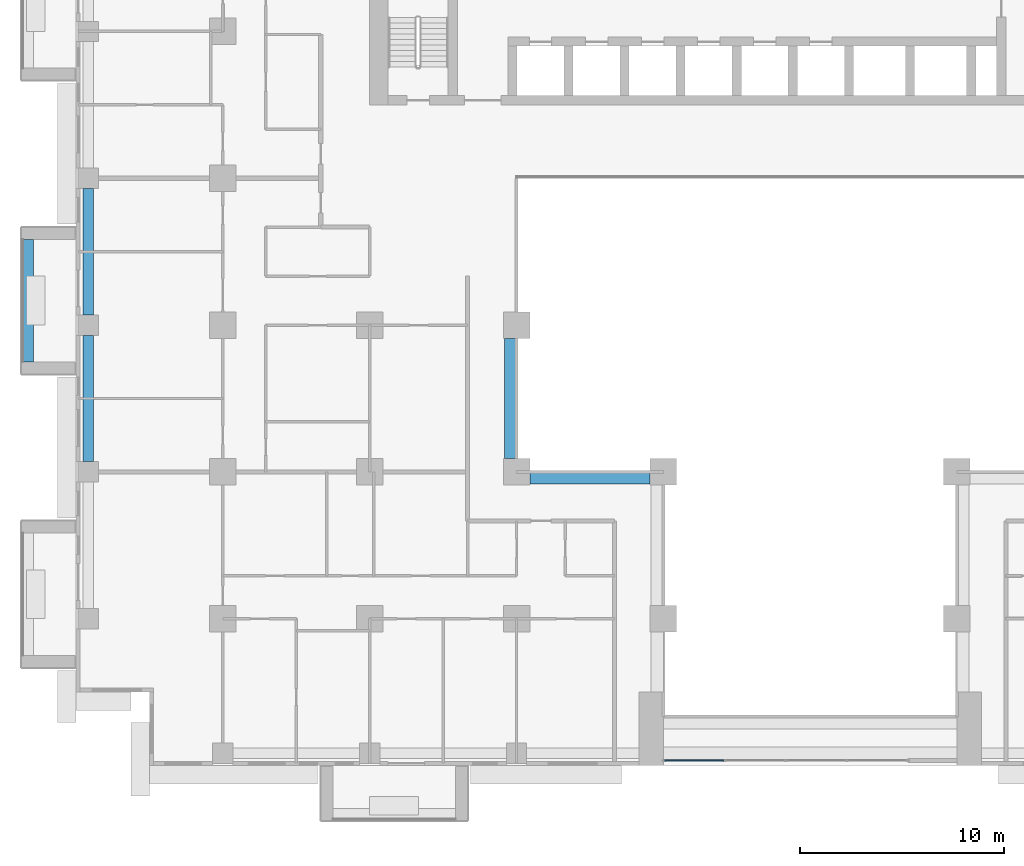
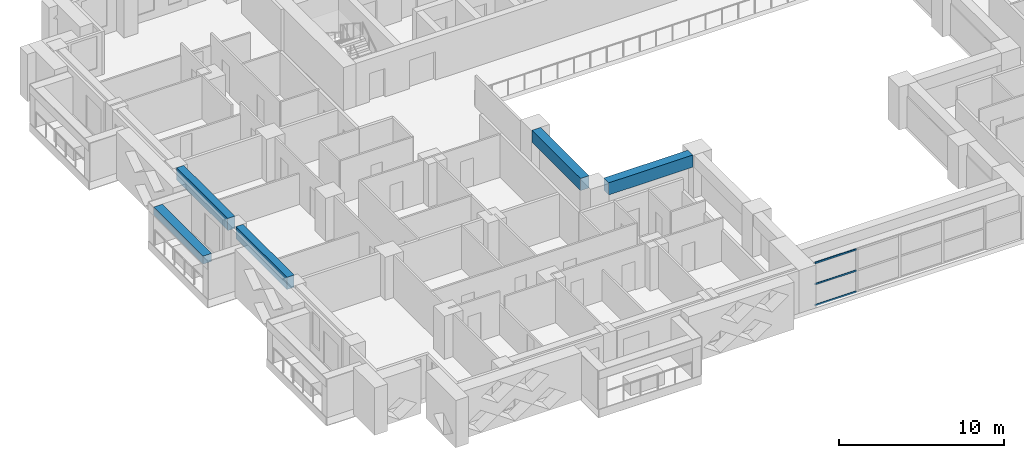
# One storey, part 3 of 17: 5 beams, 3 members, 1 element without a shape of its own.
"""IFC4 building model written with IfcOpenShell, lengths in metres."""

from ifc_helpers import new_model, si_unit, direction, frame, origin, origin_2d, place, context, subcontext, project, spatial, rectangle, extrude, source, transform, mapped, material, layer, layer_set, material_profile, profile_set, type_object, element, aggregate, save


model = new_model("IFC4")

# Units and contexts
model_context = context("Model", 3, precision=1e-05, world=origin(), true_north=direction((0.0, 1.0)))
body_context = subcontext(model_context, "Body", "Model", "MODEL_VIEW")
ifc_project = project(units=[si_unit("LENGTHUNIT", "METRE"), si_unit("AREAUNIT", "SQUARE_METRE"), si_unit("VOLUMEUNIT", "CUBIC_METRE"), si_unit("PLANEANGLEUNIT", "RADIAN"), si_unit("MASSUNIT", "GRAM", prefix="KILO")], contexts=[model_context])

# Site, building, storey
site_placement = place(None, origin())
site = spatial("IfcSite", under=ifc_project, at=site_placement, CompositionType="ELEMENT")
building_placement = place(site_placement, origin())
building = spatial("IfcBuilding", under=site, at=building_placement, Name="Saffron Iwan Residences", CompositionType="ELEMENT")
storey_placement = place(building_placement, frame((0.0, 0.0, 86.5)))
storey = spatial("IfcBuildingStorey", under=building, at=storey_placement, Name="L22", CompositionType="ELEMENT", Elevation=86.5)

# Beams
ifc_material_1 = material(Name="Concrete C60/75", Category="concrete")
ifc_material_profile_1 = material_profile(ifc_material_1, rectangle(XDim=0.5, YDim=0.89990234375, at=origin_2d()), Name="RC 500x900")
ifc_profile_set_1 = profile_set([ifc_material_profile_1], Name="Concrete C60/75")
beam_type_1 = type_object("IfcBeamType", Name="SPANDREL BEAM RC 500x900 C60/75 TOP 3180", PredefinedType="SPANDREL", material=ifc_profile_set_1)
shared_shape_1 = source(origin(), body_context, "Body", "SweptSolid", [
    extrude(rectangle(XDim=0.5, YDim=0.89990234375, at=origin_2d()), origin(), (0.0, 0.0, 1.0), 6.199951171875),
])
for number, where, z_axis, x_axis, name in (
    (1, (15.0, 48.5, 2.72998046875), (0.0, 1.0, 0.0), (-1.0, 0.0, 0.0), "Spandrel beam"),
    (2, (15.0, 55.699951171875, 2.72998046875), (0.0, 1.0, 0.0), (-1.0, 0.0, 0.0), "Spandrel beam"),
):
    element("IfcBeam", number, at=place(storey_placement, frame(where, z_axis=z_axis, x_axis=x_axis)), inside=storey, type_object=beam_type_1, Name=name, PredefinedType="SPANDREL", context=body_context, shape_type="MappedRepresentation", body=[
        mapped(shared_shape_1, transform((0.0, 0.0, 0.0))),
    ])
ifc_material_profile_2 = material_profile(ifc_material_1, rectangle(XDim=0.60009765625, YDim=0.89990234375, at=origin_2d()), Name="RC 600x900")
ifc_profile_set_2 = profile_set([ifc_material_profile_2], Name="Concrete C60/75")
beam_type_2 = type_object("IfcBeamType", Name="BEAM RC 600x900 C60/75 TOP 3180", PredefinedType="BEAM", material=ifc_profile_set_2)
shared_shape_2 = source(origin(), body_context, "Body", "SweptSolid", [
    extrude(rectangle(XDim=0.60009765625, YDim=0.89990234375, at=origin_2d()), origin(), (0.0, 0.0, 1.0), 5.900146484375),
])
for number, where, z_axis, x_axis, name in (
    (3, (42.550048828125, 47.699951171875, 2.72998046875), (-1.0, 0.0, 0.0), (0.0, -1.0, 0.0), "Atrium edge beam"),
    (4, (35.699951171875, 48.64990234375, 2.72998046875), (0.0, 1.0, 0.0), (-1.0, 0.0, 0.0), "Atrium edge beam"),
):
    element("IfcBeam", number, at=place(storey_placement, frame(where, z_axis=z_axis, x_axis=x_axis)), inside=storey, type_object=beam_type_2, Name=name, PredefinedType="BEAM", context=body_context, shape_type="MappedRepresentation", body=[
        mapped(shared_shape_2, transform((0.0, 0.0, 0.0))),
    ])

# Curtain wall, members
ifc_material_2 = material(Name="Clear glass, laminated double glazed", Category="glass")
ifc_layer = layer(ifc_material_2, 0.199951171875)
ifc_layer_set = layer_set([ifc_layer], Name="Clear glass, laminated double glazed")
curtain_wall_type = type_object("IfcCurtainWallType", Name="CW-B IWAN PORTAL", PredefinedType="NOTDEFINED", material=ifc_layer_set)
curtain_wall_placement = place(storey_placement, origin())
curtain_wall = element("IfcCurtainWall", 5, at=curtain_wall_placement, inside=storey, type_object=curtain_wall_type, Name="Iwan portal glazing L22.1", PredefinedType="NOTDEFINED")
ifc_material_3 = material(Name="Aluminium 6063-T6", Category="aluminium")
ifc_material_profile_3 = material_profile(ifc_material_3, rectangle(XDim=0.06005859375, YDim=0.1201171875, at=origin_2d()), Name="CW-B TRANSOM 60 x 120")
ifc_profile_set_3 = profile_set([ifc_material_profile_3], Name="Aluminium 6063-T6")
member_type = type_object("IfcMemberType", Name="CW-B TRANSOM 60 x 120", PredefinedType="USERDEFINED", material=ifc_profile_set_3)
shared_shape_3 = source(origin(), body_context, "Body", "SweptSolid", [
    extrude(rectangle(XDim=0.06005859375, YDim=0.1201171875, at=origin_2d()), origin(), (0.0, 0.0, 1.0), 2.909912109375),
])
member_1_placement = place(storey_placement, frame((43.260009765625, 33.85009765625, 0.030029296875), z_axis=(1.0, 0.0, 0.0), x_axis=(0.0, 1.0, 0.0)))
member_1 = element("IfcMember", 6, at=member_1_placement, type_object=member_type, Name="CW-B transom 1.1", ObjectType="TRANSOM", PredefinedType="USERDEFINED", context=body_context, shape_type="MappedRepresentation", body=[
    mapped(shared_shape_3, transform((0.0, 0.0, 0.0))),
])
member_2_placement = place(storey_placement, frame((43.260009765625, 33.85009765625, 1.590087890625), z_axis=(1.0, 0.0, 0.0), x_axis=(0.0, 1.0, 0.0)))
member_2 = element("IfcMember", 7, at=member_2_placement, type_object=member_type, Name="CW-B transom 1.2", ObjectType="TRANSOM", PredefinedType="USERDEFINED", context=body_context, shape_type="MappedRepresentation", body=[
    mapped(shared_shape_3, transform((0.0, 0.0, 0.0))),
])
member_3_placement = place(storey_placement, frame((43.260009765625, 33.85009765625, 3.14990234375), z_axis=(1.0, 0.0, 0.0), x_axis=(0.0, 1.0, 0.0)))
member_3 = element("IfcMember", 8, at=member_3_placement, type_object=member_type, Name="CW-B transom 1.3", ObjectType="TRANSOM", PredefinedType="USERDEFINED", context=body_context, shape_type="MappedRepresentation", body=[
    mapped(shared_shape_3, transform((0.0, 0.0, 0.0))),
])
aggregate(curtain_wall, [member_1, member_2, member_3])

# Beam
ifc_material_4 = material(Name="Concrete C50/60 white painted", Category="concrete")
ifc_material_profile_4 = material_profile(ifc_material_4, rectangle(XDim=0.60009765625, YDim=0.60009765625, at=origin_2d()), Name="BALCONY FASCIA BEAM 600 x 600")
ifc_profile_set_4 = profile_set([ifc_material_profile_4], Name="Concrete C50/60 white painted")
beam_type_3 = type_object("IfcBeamType", Name="BALCONY FASCIA BEAM 600 x 600", PredefinedType="BEAM", material=ifc_profile_set_4)
shared_shape_4 = source(origin(), body_context, "Body", "SweptSolid", [
    extrude(rectangle(XDim=0.60009765625, YDim=0.60009765625, at=origin_2d()), origin(), (0.0, 0.0, 1.0), 6.0),
])
beam_placement = place(storey_placement, frame((12.0, 59.39990234375, 2.550048828125), z_axis=(0.0, -1.0, 0.0), x_axis=(1.0, 0.0, 0.0)))
element("IfcBeam", 9, at=beam_placement, inside=storey, type_object=beam_type_3, Name="Balcony fascia beam L22 F8-1", PredefinedType="BEAM", context=body_context, shape_type="MappedRepresentation", body=[
    mapped(shared_shape_4, transform((0.0, 0.0, 0.0))),
])

save(model, "model.ifc")
